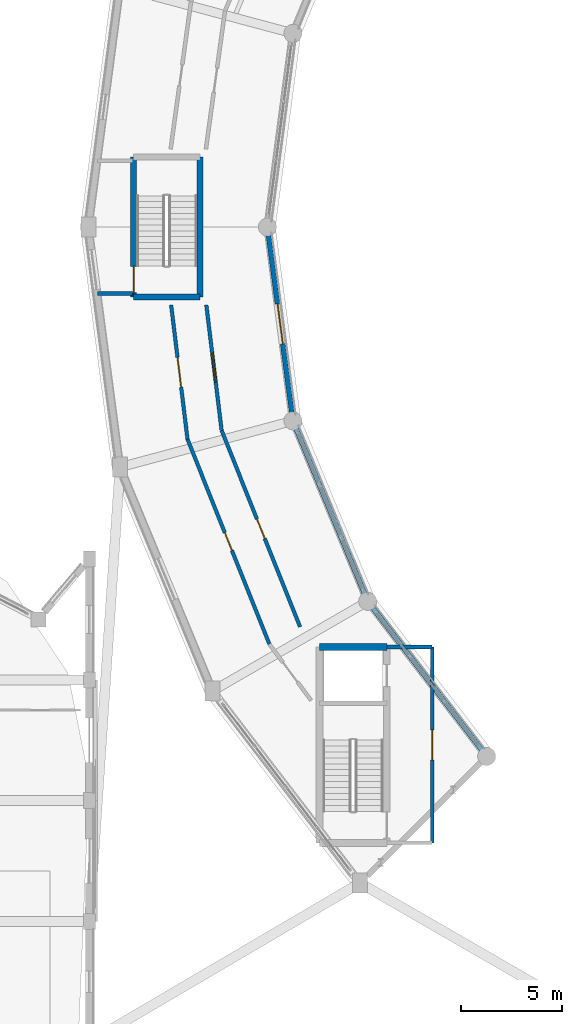
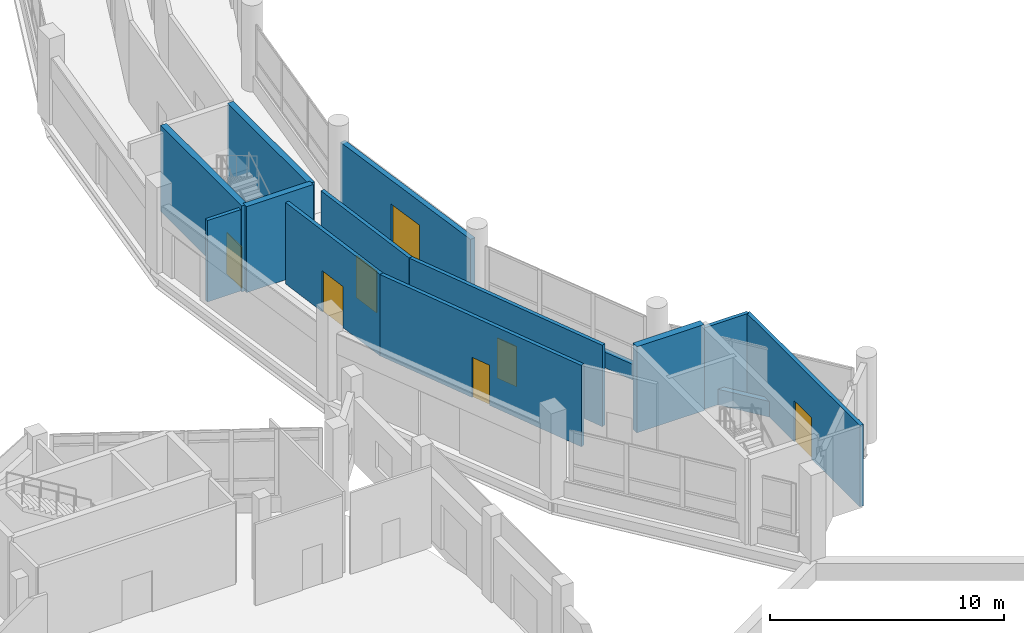
# One storey, part 107 of 129: 14 walls, 7 doors, 7 openings.
"""IFC4 building model written with IfcOpenShell, lengths in metres."""

from ifc_helpers import new_model, si_unit, direction, frame, frame_2d, origin, place, context, subcontext, project, spatial, rectangle, extrude, material, layer, layer_set, type_object, element, fill, save


model = new_model("IFC4")

# Units and contexts
model_context = context("Model", 3, precision=1e-05, world=origin(), true_north=direction((0.0, 1.0)))
body_context = subcontext(model_context, "Body", "Model", "MODEL_VIEW")
ifc_project = project(units=[si_unit("LENGTHUNIT", "METRE"), si_unit("AREAUNIT", "SQUARE_METRE"), si_unit("VOLUMEUNIT", "CUBIC_METRE"), si_unit("PLANEANGLEUNIT", "RADIAN"), si_unit("MASSUNIT", "GRAM", prefix="KILO")], contexts=[model_context])

# Site, building, storey
site_placement = place(None, origin())
site = spatial("IfcSite", under=ifc_project, at=site_placement, CompositionType="ELEMENT")
building_placement = place(site_placement, origin())
building = spatial("IfcBuilding", under=site, at=building_placement, Name="Vespera Passage Community Centre", CompositionType="ELEMENT")
storey_placement = place(building_placement, origin())
storey = spatial("IfcBuildingStorey", under=building, at=storey_placement, Name="L00", CompositionType="ELEMENT", Elevation=0.0)

# Walls
ifc_material_1 = material(Name="Concrete f'c 45 MPa", Category="concrete")
ifc_layer_1 = layer(ifc_material_1, 0.300048828125)
ifc_layer_set_1 = layer_set([ifc_layer_1], Name="Concrete f'c 45 MPa")
wall_type_1 = type_object("IfcWallType", Name="WT-CORE-300I", PredefinedType="SHEAR", material=ifc_layer_set_1)
wall_1_placement = place(storey_placement, frame((37.449951171875, 68.97509765625, 0.0), z_axis=(0.0, 0.0, 1.0), x_axis=(0.0, -1.0, 0.0)))
element("IfcWall", 1, at=wall_1_placement, inside=storey, type_object=wall_type_1, Name="Core C2 L00 Shear Wall FRONT", PredefinedType="SHEAR", context=body_context, shape_type="SweptSolid", body=[
    extrude(rectangle(XDim=6.9501953125, YDim=0.300048828125, at=frame_2d((3.47509765625, 0.0))), origin(), (0.0, 0.0, 1.0), 4.5),
])
wall_2_placement = place(storey_placement, frame((37.449951171875, 62.02490234375, 0.0), z_axis=(0.0, 0.0, 1.0), x_axis=(-1.0, 0.0, 0.0)))
element("IfcWall", 2, at=wall_2_placement, inside=storey, type_object=wall_type_1, Name="Core C2 L00 Shear Wall LEFT", PredefinedType="SHEAR", context=body_context, shape_type="SweptSolid", body=[
    extrude(rectangle(XDim=3.300048828125, YDim=0.300048828125, at=frame_2d((1.64990234375, 0.0))), origin(), (0.0, 0.0, 1.0), 4.5),
])

# Wall, opening, door
wall_3_placement = place(storey_placement, frame((34.14990234375, 62.02490234375, 0.0), z_axis=(0.0, 0.0, 1.0), x_axis=(0.0, 1.0, 0.0)))
wall_3 = element("IfcWall", 3, at=wall_3_placement, inside=storey, type_object=wall_type_1, Name="Core C2 L00 Shear Wall BACK", PredefinedType="SHEAR", context=body_context, shape_type="SweptSolid", body=[
    extrude(rectangle(XDim=6.9501953125, YDim=0.300048828125, at=frame_2d((3.47509765625, 0.0))), origin(), (0.0, 0.0, 1.0), 4.5),
])
opening_1_placement = place(wall_3_placement, frame((0.219970703125, 0.0, 0.0)))
opening_1 = element("IfcOpeningElement", 4, at=opening_1_placement, cuts=wall_3, Name="Opening DT-STAIR-130", PredefinedType="OPENING", context=body_context, shape_type="SweptSolid", body=[
    extrude(rectangle(XDim=1.300048828125, YDim=2.14990234375, at=frame_2d((0.64990234375, 1.074951171875))), frame((0.0, 0.159912109375, 0.0), z_axis=(0.0, -1.0, 0.0), x_axis=(1.0, 0.0, 0.0)), (0.0, 0.0, 1.0), 0.320068359375),
])
ifc_material_2 = material(Name="Painted hollow-metal acoustic door", Category="steel")
door_type_1 = type_object("IfcDoorType", Name="DT-STAIR-130", OperationType="NOTDEFINED", PredefinedType="DOOR", material=ifc_material_2)
door_1_placement = place(opening_1_placement, origin())
door_1 = element("IfcDoor", 5, at=door_1_placement, inside=storey, type_object=door_type_1, Name="Core C2 L00 Exit Stair Door D-065", OperationType="SINGLE_SWING_LEFT", OverallHeight=2.14990234375, OverallWidth=1.300048828125, PredefinedType="DOOR", context=body_context, shape_type="SweptSolid", body=[
    extrude(rectangle(XDim=1.300048828125, YDim=2.14990234375, at=frame_2d((0.64990234375, 1.074951171875))), frame((0.0, 0.02490234375, 0.0), z_axis=(0.0, -1.0, 0.0), x_axis=(1.0, 0.0, 0.0)), (0.0, 0.0, 1.0), 0.050048828125),
])
fill(opening_1, door_1)

# Wall
ifc_material_3 = material(Name="Concrete f'c 45 MPa", Category="concrete")
ifc_layer_2 = layer(ifc_material_3, 0.340087890625)
ifc_layer_set_2 = layer_set([ifc_layer_2], Name="Concrete f'c 45 MPa")
wall_type_2 = type_object("IfcWallType", Name="WT-CORE-340I", PredefinedType="SHEAR", material=ifc_layer_set_2)
wall_4_placement = place(storey_placement, frame((43.39111328125, 44.6298828125, 0.0), z_axis=(0.0, 0.0, 1.0), x_axis=(1.0, 0.0, 0.0)))
element("IfcWall", 6, at=wall_4_placement, inside=storey, type_object=wall_type_2, Name="Core C3 L00 Shear Wall RIGHT", PredefinedType="SHEAR", context=body_context, shape_type="SweptSolid", body=[
    extrude(rectangle(XDim=3.33984375, YDim=0.340087890625, at=frame_2d((1.669921875, 0.0))), origin(), (0.0, 0.0, 1.0), 4.5),
])

# Wall, opening, door
ifc_material_4 = material(Name="Gypsum board acoustic stud partition")
ifc_layer_3 = layer(ifc_material_4, 0.179931640625)
ifc_layer_set_3 = layer_set([ifc_layer_3], Name="Gypsum board acoustic stud partition")
wall_type_3 = type_object("IfcWallType", Name="WT-CORR-180I", PredefinedType="PARTITIONING", material=ifc_layer_set_3)
wall_5_placement = place(storey_placement, frame((48.98095703125, 34.89990234375, 0.0), z_axis=(0.0, 0.0, 1.0), x_axis=(0.0, 1.0, 0.0)))
wall_5 = element("IfcWall", 7, at=wall_5_placement, inside=storey, type_object=wall_type_3, Name="Core C3 L00 Lift Lobby Front Wall", PredefinedType="PARTITIONING", context=body_context, shape_type="SweptSolid", body=[
    extrude(rectangle(XDim=9.72998046875, YDim=0.179931640625, at=frame_2d((4.864990234375, 0.0))), origin(), (0.0, 0.0, 1.0), 4.2548828125),
])
opening_2_placement = place(wall_5_placement, frame((4.114990234375, 0.0, 0.0)))
opening_2 = element("IfcOpeningElement", 8, at=opening_2_placement, cuts=wall_5, Name="Opening DT-CORR-150", PredefinedType="OPENING", context=body_context, shape_type="SweptSolid", body=[
    extrude(rectangle(XDim=1.5, YDim=2.14990234375, at=frame_2d((0.75, 1.074951171875))), frame((0.0, 0.099853515625, 0.0), z_axis=(0.0, -1.0, 0.0), x_axis=(1.0, 0.0, 0.0)), (0.0, 0.0, 1.0), 0.199951171875),
])
ifc_material_5 = material(Name="Painted hollow-metal acoustic door", Category="steel")
door_type_2 = type_object("IfcDoorType", Name="DT-CORR-150", OperationType="NOTDEFINED", PredefinedType="DOOR", material=ifc_material_5)
door_2_placement = place(opening_2_placement, origin())
door_2 = element("IfcDoor", 9, at=door_2_placement, inside=storey, type_object=door_type_2, Name="Core C3 L00 Lift Lobby Door D-075", OperationType="SINGLE_SWING_LEFT", OverallHeight=2.14990234375, OverallWidth=1.5, PredefinedType="DOOR", context=body_context, shape_type="SweptSolid", body=[
    extrude(rectangle(XDim=1.5, YDim=2.14990234375, at=frame_2d((0.75, 1.074951171875))), frame((0.0, 0.02490234375, 0.0), z_axis=(0.0, -1.0, 0.0), x_axis=(1.0, 0.0, 0.0)), (0.0, 0.0, 1.0), 0.050048828125),
])
fill(opening_2, door_2)

# Walls
wall_6_placement = place(storey_placement, frame((46.73095703125, 44.6298828125, 0.0), z_axis=(0.0, 0.0, 1.0), x_axis=(1.0, 0.0, 0.0)))
element("IfcWall", 10, at=wall_6_placement, inside=storey, type_object=wall_type_3, Name="Core C3 L00 Lift Lobby Side Wall R", PredefinedType="PARTITIONING", context=body_context, shape_type="SweptSolid", body=[
    extrude(rectangle(XDim=2.25, YDim=0.179931640625, at=frame_2d((1.125, 0.0))), origin(), (0.0, 0.0, 1.0), 4.2548828125),
])
wall_7_placement = place(storey_placement, frame((32.35009765625, 62.199951171875, 0.0), z_axis=(0.0, 0.0, 1.0), x_axis=(1.0, 0.0, 0.0)))
element("IfcWall", 11, at=wall_7_placement, inside=storey, type_object=wall_type_3, Name="L00 Protected Exit Passageway Wall EP1-S", PredefinedType="PARTITIONING", context=body_context, shape_type="SweptSolid", body=[
    extrude(rectangle(XDim=1.75, YDim=0.179931640625, at=frame_2d((0.875, 0.0))), origin(), (0.0, 0.0, 1.0), 4.2548828125),
])

# Wall, opening, door
wall_8_placement = place(storey_placement, frame((36.01513671875, 61.625, 0.0), z_axis=(0.0, 0.0, 1.0), x_axis=(0.121095426368, -0.992640870463, 0.0)))
wall_8 = element("IfcWall", 12, at=wall_8_placement, inside=storey, type_object=wall_type_3, Name="L00 Interior Partition V4-L00-CO09.1", PredefinedType="PARTITIONING", context=body_context, shape_type="SweptSolid", body=[
    extrude(rectangle(XDim=6.717529296875, YDim=0.179931640625, at=frame_2d((3.35888671875, 0.0))), origin(), (0.0, 0.0, 1.0), 4.2548828125),
])
opening_3_placement = place(wall_8_placement, frame((2.60888671875, 0.0, 0.0)))
opening_3 = element("IfcOpeningElement", 13, at=opening_3_placement, cuts=wall_8, Name="Opening DT-CORR-150", PredefinedType="OPENING", context=body_context, shape_type="SweptSolid", body=[
    extrude(rectangle(XDim=1.5, YDim=2.14990234375, at=frame_2d((0.75, 1.074951171875))), frame((0.0, 0.099853515625, 0.0), z_axis=(0.0, -1.0, 0.0), x_axis=(1.0, 0.0, 0.0)), (0.0, 0.0, 1.0), 0.199951171875),
])
door_3_placement = place(opening_3_placement, origin())
door_3 = element("IfcDoor", 14, at=door_3_placement, inside=storey, type_object=door_type_2, Name="L00 Interior Door D-156", OperationType="SINGLE_SWING_RIGHT", OverallHeight=2.14990234375, OverallWidth=1.5, PredefinedType="DOOR", context=body_context, shape_type="SweptSolid", body=[
    extrude(rectangle(XDim=1.5, YDim=2.14990234375, at=frame_2d((0.75, 1.074951171875))), frame((0.0, 0.02490234375, 0.0), z_axis=(0.0, -1.0, 0.0), x_axis=(1.0, 0.0, 0.0)), (0.0, 0.0, 1.0), 0.050048828125),
])
fill(opening_3, door_3)

wall_9_placement = place(storey_placement, frame((37.763427734375, 61.625, 0.0), z_axis=(0.0, 0.0, 1.0), x_axis=(0.12105344106, -0.992645991483, 0.0)))
wall_9 = element("IfcWall", 15, at=wall_9_placement, inside=storey, type_object=wall_type_3, Name="L00 Interior Partition V4-L00-CI09.1", PredefinedType="PARTITIONING", context=body_context, shape_type="SweptSolid", body=[
    extrude(rectangle(XDim=6.2802734375, YDim=0.179931640625, at=frame_2d((3.14013671875, 0.0))), origin(), (0.0, 0.0, 1.0), 4.2548828125),
])
opening_4_placement = place(wall_9_placement, frame((2.415283203125, 0.0, 0.0)))
opening_4 = element("IfcOpeningElement", 16, at=opening_4_placement, cuts=wall_9, Name="Opening DT-PLANT-145", PredefinedType="OPENING", context=body_context, shape_type="SweptSolid", body=[
    extrude(rectangle(XDim=1.449951171875, YDim=2.199951171875, at=frame_2d((0.72509765625, 1.10009765625))), frame((0.0, 0.099853515625, 0.0), z_axis=(0.0, -1.0, 0.0), x_axis=(1.0, 0.0, 0.0)), (0.0, 0.0, 1.0), 0.199951171875),
])
ifc_material_6 = material(Name="Painted hollow-metal acoustic door", Category="steel")
door_type_3 = type_object("IfcDoorType", Name="DT-PLANT-145", OperationType="NOTDEFINED", PredefinedType="DOOR", material=ifc_material_6)
door_4_placement = place(opening_4_placement, origin())
door_4 = element("IfcDoor", 17, at=door_4_placement, inside=storey, type_object=door_type_3, Name="L00 Interior Door D-157", OperationType="SINGLE_SWING_LEFT", OverallHeight=2.199951171875, OverallWidth=1.449951171875, PredefinedType="DOOR", context=body_context, shape_type="SweptSolid", body=[
    extrude(rectangle(XDim=1.449951171875, YDim=2.199951171875, at=frame_2d((0.72509765625, 1.10009765625))), frame((0.0, 0.02490234375, 0.0), z_axis=(0.0, -1.0, 0.0), x_axis=(1.0, 0.0, 0.0)), (0.0, 0.0, 1.0), 0.050048828125),
])
fill(opening_4, door_4)

wall_10_placement = place(storey_placement, frame((36.82861328125, 54.956787109375, 0.0), z_axis=(0.0, 0.0, 1.0), x_axis=(0.370918279433, -0.928665510279, 0.0)))
wall_10 = element("IfcWall", 18, at=wall_10_placement, inside=storey, type_object=wall_type_3, Name="L00 Interior Partition V4-L00-CO10.1", PredefinedType="PARTITIONING", context=body_context, shape_type="SweptSolid", body=[
    extrude(rectangle(XDim=10.961181640625, YDim=0.179931640625, at=frame_2d((5.48046875, 0.0))), origin(), (0.0, 0.0, 1.0), 4.2548828125),
])
opening_5_placement = place(wall_10_placement, frame((5.005615234375, 0.0, 0.0)))
opening_5 = element("IfcOpeningElement", 19, at=opening_5_placement, cuts=wall_10, Name="Opening DT-CORR-95", PredefinedType="OPENING", context=body_context, shape_type="SweptSolid", body=[
    extrude(rectangle(XDim=0.949951171875, YDim=2.10009765625, at=frame_2d((0.47509765625, 1.050048828125))), frame((0.0, 0.099853515625, 0.0), z_axis=(0.0, -1.0, 0.0), x_axis=(1.0, 0.0, 0.0)), (0.0, 0.0, 1.0), 0.199951171875),
])
ifc_material_7 = material(Name="Painted hollow-metal acoustic door", Category="steel")
door_type_4 = type_object("IfcDoorType", Name="DT-CORR-95", OperationType="NOTDEFINED", PredefinedType="DOOR", material=ifc_material_7)
door_5_placement = place(opening_5_placement, origin())
door_5 = element("IfcDoor", 20, at=door_5_placement, inside=storey, type_object=door_type_4, Name="L00 Interior Door D-158", OperationType="SINGLE_SWING_RIGHT", OverallHeight=2.10009765625, OverallWidth=0.949951171875, PredefinedType="DOOR", context=body_context, shape_type="SweptSolid", body=[
    extrude(rectangle(XDim=0.949951171875, YDim=2.10009765625, at=frame_2d((0.47509765625, 1.050048828125))), frame((0.0, 0.02490234375, 0.0), z_axis=(0.0, -1.0, 0.0), x_axis=(1.0, 0.0, 0.0)), (0.0, 0.0, 1.0), 0.050048828125),
])
fill(opening_5, door_5)

wall_11_placement = place(storey_placement, frame((38.523681640625, 55.390869140625, 0.0), z_axis=(0.0, 0.0, 1.0), x_axis=(0.370942047159, -0.92865601686, 0.0)))
wall_11 = element("IfcWall", 21, at=wall_11_placement, inside=storey, type_object=wall_type_3, Name="L00 Interior Partition V4-L00-CI10.1", PredefinedType="PARTITIONING", context=body_context, shape_type="SweptSolid", body=[
    extrude(rectangle(XDim=10.509521484375, YDim=0.179931640625, at=frame_2d((5.2548828125, 0.0))), origin(), (0.0, 0.0, 1.0), 4.2548828125),
])
opening_6_placement = place(wall_11_placement, frame((4.729736328125, 0.0, 0.0)))
opening_6 = element("IfcOpeningElement", 22, at=opening_6_placement, cuts=wall_11, Name="Opening DT-CORR-105", PredefinedType="OPENING", context=body_context, shape_type="SweptSolid", body=[
    extrude(rectangle(XDim=1.050048828125, YDim=2.10009765625, at=frame_2d((0.52490234375, 1.050048828125))), frame((0.0, 0.099853515625, 0.0), z_axis=(0.0, -1.0, 0.0), x_axis=(1.0, 0.0, 0.0)), (0.0, 0.0, 1.0), 0.199951171875),
])
ifc_material_8 = material(Name="Painted hollow-metal acoustic door", Category="steel")
door_type_5 = type_object("IfcDoorType", Name="DT-CORR-105", OperationType="NOTDEFINED", PredefinedType="DOOR", material=ifc_material_8)
door_6_placement = place(opening_6_placement, origin())
door_6 = element("IfcDoor", 23, at=door_6_placement, inside=storey, type_object=door_type_5, Name="L00 Interior Door D-159", OperationType="SINGLE_SWING_LEFT", OverallHeight=2.10009765625, OverallWidth=1.050048828125, PredefinedType="DOOR", context=body_context, shape_type="SweptSolid", body=[
    extrude(rectangle(XDim=1.050048828125, YDim=2.10009765625, at=frame_2d((0.52490234375, 1.050048828125))), frame((0.0, 0.02490234375, 0.0), z_axis=(0.0, -1.0, 0.0), x_axis=(1.0, 0.0, 0.0)), (0.0, 0.0, 1.0), 0.050048828125),
])
fill(opening_6, door_6)

ifc_material_9 = material(Name="Precast concrete f'c 40 MPa", Category="concrete")
ifc_layer_4 = layer(ifc_material_9, 0.25)
ifc_layer_set_4 = layer_set([ifc_layer_4], Name="Precast concrete f'c 40 MPa")
wall_type_4 = type_object("IfcWallType", Name="WT-EXT-250E", PredefinedType="STANDARD", material=ifc_layer_set_4)
wall_12_placement = place(storey_placement, frame((40.836181640625, 65.224853515625, 0.0), z_axis=(0.0, 0.0, 1.0), x_axis=(0.130549698469, -0.991441766434, 0.0)))
wall_12 = element("IfcWall", 24, at=wall_12_placement, inside=storey, type_object=wall_type_4, Name="V4 L00 Inner Court Precast Wall 12", PredefinedType="STANDARD", context=body_context, shape_type="SweptSolid", body=[
    extrude(rectangle(XDim=9.156005859375, YDim=0.25, at=frame_2d((4.578125, 0.0))), origin(), (0.0, 0.0, 1.0), 3.54931640625),
])
opening_7_placement = place(wall_12_placement, frame((3.577880859375, 0.0, 0.0)))
opening_7 = element("IfcOpeningElement", 25, at=opening_7_placement, cuts=wall_12, Name="Opening DT-E06", PredefinedType="OPENING", context=body_context, shape_type="SweptSolid", body=[
    extrude(rectangle(XDim=2.0, YDim=2.300048828125, at=frame_2d((1.0, 1.14990234375))), frame((0.0, 0.135009765625, 0.0), z_axis=(0.0, -1.0, 0.0), x_axis=(1.0, 0.0, 0.0)), (0.0, 0.0, 1.0), 0.27001953125),
])
ifc_material_10 = material(Name="Anodized aluminium 6063-T6", Category="aluminium")
door_type_6 = type_object("IfcDoorType", Name="DT-E06", OperationType="NOTDEFINED", PredefinedType="DOOR", material=ifc_material_10)
door_7_placement = place(opening_7_placement, origin())
door_7 = element("IfcDoor", 26, at=door_7_placement, inside=storey, type_object=door_type_6, Name="Sun Court Portal Exit Door I12", OperationType="SINGLE_SWING_RIGHT", OverallHeight=2.300048828125, OverallWidth=2.0, PredefinedType="DOOR", context=body_context, shape_type="SweptSolid", body=[
    extrude(rectangle(XDim=2.0, YDim=2.300048828125, at=frame_2d((1.0, 1.14990234375))), frame((0.0, 0.02490234375, 0.0), z_axis=(0.0, -1.0, 0.0), x_axis=(1.0, 0.0, 0.0)), (0.0, 0.0, 1.0), 0.050048828125),
])
fill(opening_7, door_7)

# Walls
wall_13_placement = place(storey_placement, frame((42.182373046875, 55.594970703125, 0.0), z_axis=(0.0, 0.0, 1.0), x_axis=(0.382681519675, -0.923880324771, 0.0)))
element("IfcWall", 27, at=wall_13_placement, inside=storey, type_object=wall_type_4, Name="V4 L00 Court Spandrel Wall I13", PredefinedType="STANDARD", context=body_context, shape_type="SweptSolid", body=[
    extrude(rectangle(XDim=9.111572265625, YDim=0.25, at=frame_2d((4.5556640625, 0.0))), origin(), (0.0, 0.0, 1.0), 0.820068359375),
])
wall_14_placement = place(storey_placement, frame((45.998779296875, 46.619873046875, 0.0), z_axis=(0.0, 0.0, 1.0), x_axis=(0.608769580289, -0.793347085527, 0.0)))
element("IfcWall", 28, at=wall_14_placement, inside=storey, type_object=wall_type_4, Name="V4 L00 Court Spandrel Wall I14", PredefinedType="STANDARD", context=body_context, shape_type="SweptSolid", body=[
    extrude(rectangle(XDim=9.0048828125, YDim=0.25, at=frame_2d((4.50244140625, 0.0))), origin(), (0.0, 0.0, 1.0), 0.820068359375),
])

save(model, "model.ifc")
